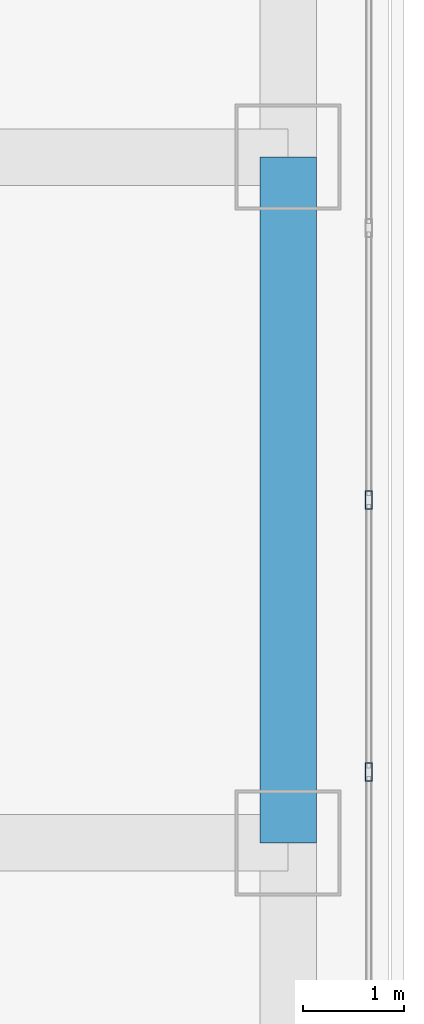
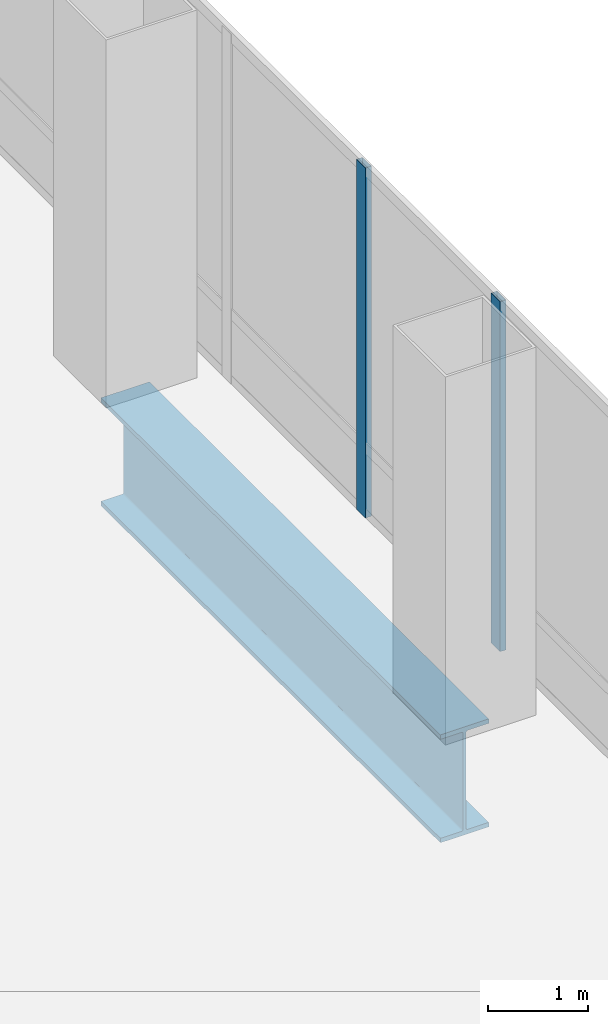
# One storey, part 16 of 33: 2 members, 1 beam, 1 element without a shape of its own.
"""IFC4 building model written with IfcOpenShell, lengths in metres."""

from ifc_helpers import new_model, si_unit, direction, frame, origin, origin_2d, place, context, subcontext, project, spatial, hollow_rectangle, i_section, extrude, material, material_profile, profile_set, type_object, element, aggregate, save


model = new_model("IFC4")

# Units and contexts
model_context = context("Model", 3, precision=1e-05, world=origin(), true_north=direction((0.0, 1.0)))
body_context = subcontext(model_context, "Body", "Model", "MODEL_VIEW")
ifc_project = project(units=[si_unit("LENGTHUNIT", "METRE"), si_unit("AREAUNIT", "SQUARE_METRE"), si_unit("VOLUMEUNIT", "CUBIC_METRE"), si_unit("PLANEANGLEUNIT", "RADIAN"), si_unit("MASSUNIT", "GRAM", prefix="KILO")], contexts=[model_context])

# Site, building, storey
site_placement = place(None, origin())
site = spatial("IfcSite", under=ifc_project, at=site_placement, CompositionType="ELEMENT")
building_placement = place(site_placement, origin())
building = spatial("IfcBuilding", under=site, at=building_placement, Name="Punatoya Terracotta Tower", CompositionType="ELEMENT")
storey_placement = place(building_placement, frame((0.0, 0.0, 343.800048828125)))
storey = spatial("IfcBuildingStorey", under=building, at=storey_placement, Name="L81", CompositionType="ELEMENT", Elevation=343.800048828125)

# Beam
ifc_material_1 = material(Name="Steel S460", Category="steel")
ifc_material_profile_1 = material_profile(ifc_material_1, i_section(OverallWidth=0.56005859375, OverallDepth=1.320068359375, WebThickness=0.035888671875, FlangeThickness=0.054931640625, FilletRadius=0.01806640625, at=origin_2d()))
ifc_profile_set_1 = profile_set([ifc_material_profile_1], Name="Steel S460")
beam_type = type_object("IfcBeamType", Name="BM-TG-BLK", PredefinedType="BEAM", material=ifc_profile_set_1)
beam_placement = place(storey_placement, frame((19.10009765625, -3.39990234375, -0.93994140625), z_axis=(0.0, 1.0, 0.0), x_axis=(-1.0, 0.0, 0.0)))
element("IfcBeam", 1, at=beam_placement, inside=storey, type_object=beam_type, Name="BM-L81-RG-E2", PredefinedType="BEAM", context=body_context, shape_type="SweptSolid", body=[
    extrude(i_section(OverallWidth=0.56005859375, OverallDepth=1.320068359375, WebThickness=0.035888671875, FlangeThickness=0.054931640625, FilletRadius=0.01806640625, at=origin_2d()), origin(), (0.0, 0.0, 1.0), 6.7998046875),
])

# Curtain wall, members
ifc_material_2 = material(Name="Aluminium 6063-T6 + Double Low-E Glass", Category="aluminium")
curtain_wall_type = type_object("IfcCurtainWallType", Name="CW-CRN", PredefinedType="NOTDEFINED", material=ifc_material_2)
curtain_wall_placement = place(storey_placement, origin())
curtain_wall = element("IfcCurtainWall", 2, at=curtain_wall_placement, inside=storey, type_object=curtain_wall_type, Name="L81 Curtain Wall CW-L81-E05-1", PredefinedType="NOTDEFINED")
ifc_material_3 = material(Name="Aluminium 6063-T6", Category="aluminium")
ifc_material_profile_2 = material_profile(ifc_material_3, hollow_rectangle(XDim=0.070068359375, YDim=0.179931640625, WallThickness=0.00390625, at=origin_2d()))
ifc_profile_set_2 = profile_set([ifc_material_profile_2], Name="Aluminium 6063-T6")
member_type = type_object("IfcMemberType", Name="CW-MUL-M3", PredefinedType="MULLION", material=ifc_profile_set_2)
member_1_placement = place(storey_placement, frame((19.89990234375, -2.69775390625, 0.0), z_axis=(0.0, 0.0, 1.0), x_axis=(1.0, 0.0, 0.0)))
member_1 = element("IfcMember", 3, at=member_1_placement, type_object=member_type, Name="CW-L81-E05-1 Mullion 05", PredefinedType="MULLION", context=body_context, shape_type="SweptSolid", body=[
    extrude(hollow_rectangle(XDim=0.070068359375, YDim=0.179931640625, WallThickness=0.00390625, at=origin_2d()), origin(), (0.0, 0.0, 1.0), 4.280029296875),
])
member_2_placement = place(storey_placement, frame((19.89990234375, 0.0, 0.0), z_axis=(0.0, 0.0, 1.0), x_axis=(1.0, 0.0, 0.0)))
member_2 = element("IfcMember", 4, at=member_2_placement, type_object=member_type, Name="CW-L81-E05-1 Mullion 06", PredefinedType="MULLION", context=body_context, shape_type="SweptSolid", body=[
    extrude(hollow_rectangle(XDim=0.070068359375, YDim=0.179931640625, WallThickness=0.00390625, at=origin_2d()), origin(), (0.0, 0.0, 1.0), 4.280029296875),
])
aggregate(curtain_wall, [member_1, member_2])

save(model, "model.ifc")
